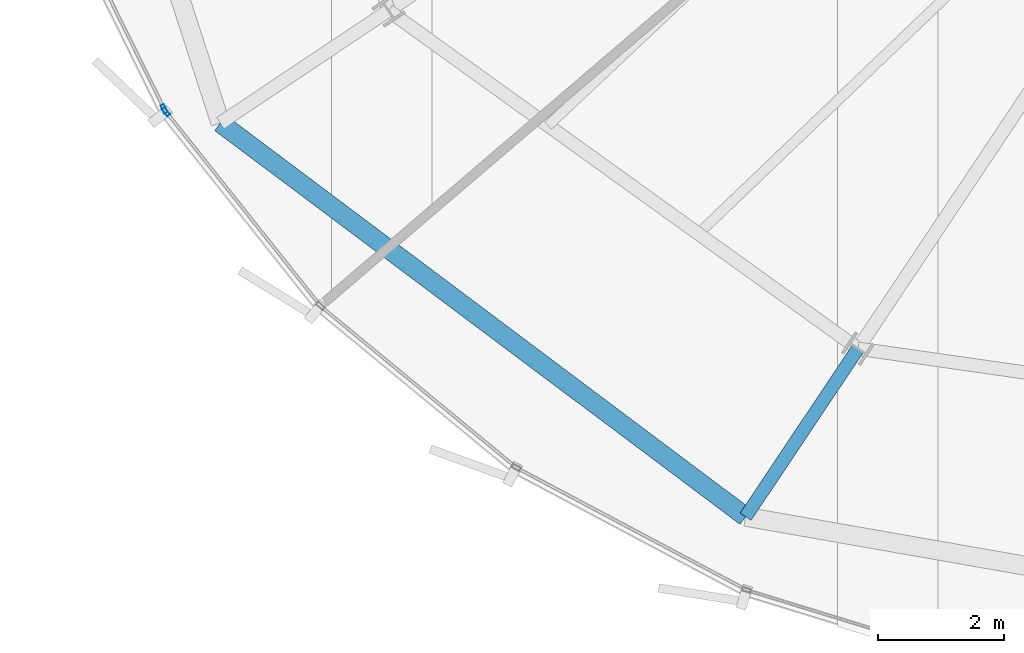
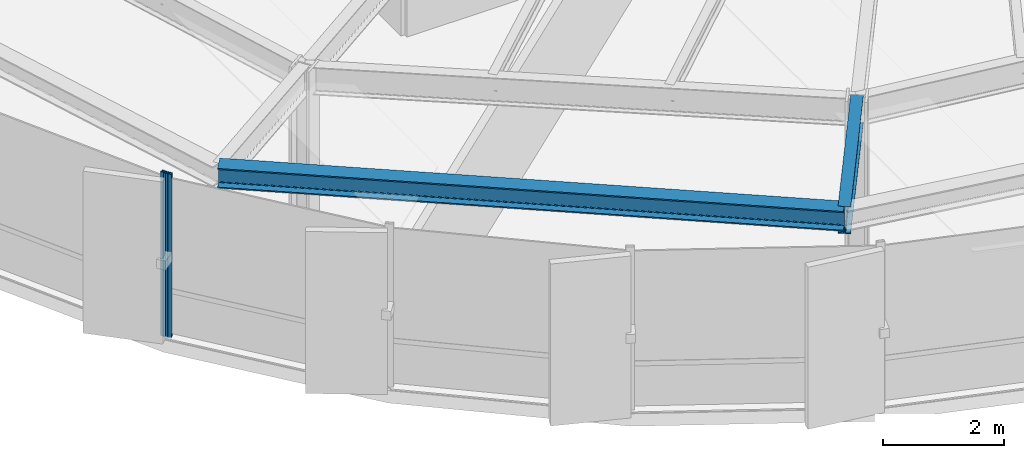
# One storey, part 3 of 36: 2 beams, 2 members, 2 elements without a shape of their own.
"""IFC4 building model written with IfcOpenShell, lengths in metres."""

from ifc_helpers import new_model, si_unit, direction, frame, origin, origin_2d, place, context, subcontext, project, spatial, hollow_rectangle, i_section, extrude, source, transform, mapped, material, layer, layer_set, material_profile, profile_set, type_object, element, aggregate, save


model = new_model("IFC4")

# Units and contexts
model_context = context("Model", 3, precision=1e-05, world=origin(), true_north=direction((0.0, 1.0)))
body_context = subcontext(model_context, "Body", "Model", "MODEL_VIEW")
ifc_project = project(units=[si_unit("LENGTHUNIT", "METRE"), si_unit("AREAUNIT", "SQUARE_METRE"), si_unit("VOLUMEUNIT", "CUBIC_METRE"), si_unit("PLANEANGLEUNIT", "RADIAN"), si_unit("MASSUNIT", "GRAM", prefix="KILO"), si_unit("THERMODYNAMICTEMPERATUREUNIT", "KELVIN")], contexts=[model_context])

# Site, building, storey
site_placement = place(None, origin())
site = spatial("IfcSite", under=ifc_project, at=site_placement, CompositionType="ELEMENT")
building_placement = place(site_placement, origin())
building = spatial("IfcBuilding", under=site, at=building_placement, Name="Kethvar Cultural Tower", CompositionType="ELEMENT")
storey_placement = place(building_placement, frame((0.0, 0.0, 164.300048828125)))
storey = spatial("IfcBuildingStorey", under=building, at=storey_placement, Name="L42", CompositionType="ELEMENT", Elevation=164.300048828125)

# Beams
ifc_material_1 = material(Name="Steel S355J2", Category="steel")
ifc_material_profile_1 = material_profile(ifc_material_1, i_section(OverallWidth=0.2099609375, OverallDepth=0.550048828125, WebThickness=0.010986328125, FlangeThickness=0.01708984375, FilletRadius=0.02392578125, at=origin_2d()), Name="Steel S355J2 — IPE550")
ifc_profile_set_1 = profile_set([ifc_material_profile_1], Name="Steel S355J2 — IPE550")
beam_type_1 = type_object("IfcBeamType", Name="BM-IPE550", PredefinedType="BEAM", material=ifc_profile_set_1)
shared_shape_1 = source(origin(), body_context, "Body", "SweptSolid", [
    extrude(i_section(OverallWidth=0.2099609375, OverallDepth=0.550048828125, WebThickness=0.010986328125, FlangeThickness=0.01708984375, FilletRadius=0.02392578125, at=origin_2d()), origin(), (0.0, 0.0, 1.0), 3.199951171875),
])
beam_1_placement = place(storey_placement, frame((34.350830078125, 9.16845703125, 3.02294921875), z_axis=(-0.555580212716, -0.831462943996, 0.0), x_axis=(0.831462943996, -0.555580212716, 0.0)))
element("IfcBeam", 1, at=beam_1_placement, inside=storey, type_object=beam_type_1, Name="L42 Perimeter Cantilever Beam RC-11", PredefinedType="BEAM", context=body_context, shape_type="MappedRepresentation", body=[
    mapped(shared_shape_1, transform((0.0, 0.0, 0.0), scale=1.0)),
])
ifc_material_profile_2 = material_profile(ifc_material_1, i_section(OverallWidth=0.300048828125, OverallDepth=0.39990234375, WebThickness=0.013427734375, FlangeThickness=0.02392578125, FilletRadius=0.027099609375, at=origin_2d()), Name="Steel S355J2 — HEB400")
ifc_profile_set_2 = profile_set([ifc_material_profile_2], Name="Steel S355J2 — HEB400")
beam_type_2 = type_object("IfcBeamType", Name="BM-SP400", PredefinedType="SPANDREL", material=ifc_profile_set_2)
shared_shape_2 = source(origin(), body_context, "Body", "SweptSolid", [
    extrude(i_section(OverallWidth=0.300048828125, OverallDepth=0.39990234375, WebThickness=0.013427734375, FlangeThickness=0.02392578125, FilletRadius=0.027099609375, at=origin_2d()), origin(), (0.0, 0.0, 1.0), 10.38916015625),
])
beam_2_placement = place(storey_placement, frame((24.260009765625, 12.7392578125, 3.097900390625), z_axis=(0.800152249906, -0.599796946449, 0.0), x_axis=(0.599796946449, 0.800152249906, 0.0)))
element("IfcBeam", 2, at=beam_2_placement, inside=storey, type_object=beam_type_2, Name="L42 Perimeter Spandrel Beam SP-10", PredefinedType="SPANDREL", context=body_context, shape_type="MappedRepresentation", body=[
    mapped(shared_shape_2, transform((0.0, 0.0, 0.0), scale=1.0)),
])

# Curtain wall, member
ifc_material_2 = material(Name="Aluminium 6063-T6", Category="aluminium")
ifc_layer = layer(ifc_material_2, 0.179931640625, Name="Aluminium 6063-T6", Category="aluminium")
ifc_layer_set = layer_set([ifc_layer], Name="Aluminium 6063-T6 (180 mm)")
curtain_wall_type = type_object("IfcCurtainWallType", Name="CW-SYS-04-Z34", PredefinedType="NOTDEFINED", material=ifc_layer_set)
curtain_wall_1_placement = place(storey_placement, origin())
curtain_wall_1 = element("IfcCurtainWall", 3, at=curtain_wall_1_placement, inside=storey, type_object=curtain_wall_type, Name="L42 Curtain Wall Run 03", PredefinedType="NOTDEFINED")
ifc_material_profile_3 = material_profile(ifc_material_2, hollow_rectangle(XDim=0.06005859375, YDim=0.139892578125, WallThickness=0.0048828125, at=origin_2d()), Name="Aluminium 6063-T6 — RHS140x60x5")
ifc_profile_set_3 = profile_set([ifc_material_profile_3], Name="Aluminium 6063-T6 — RHS140x60x5")
member_type = type_object("IfcMemberType", Name="CW-SYS-04-Z34-MUL", PredefinedType="MULLION", material=ifc_profile_set_3)
shared_shape_3 = source(origin(), body_context, "Body", "SweptSolid", [
    extrude(hollow_rectangle(XDim=0.06005859375, YDim=0.139892578125, WallThickness=0.0048828125, at=origin_2d()), origin(), (0.0, 0.0, 1.0), 3.300048828125),
])
member_1_placement = place(storey_placement, frame((23.37109375, 12.963623046875, 0.0), z_axis=(0.0, 0.0, 1.0), x_axis=(0.896416821864, 0.443212005117, 0.0)))
member_1 = element("IfcMember", 4, at=member_1_placement, type_object=member_type, Name="CW-L42-R03 Mullion 7", PredefinedType="MULLION", context=body_context, shape_type="MappedRepresentation", body=[
    mapped(shared_shape_3, transform((0.0, 0.0, 0.0), scale=1.0)),
])
aggregate(curtain_wall_1, [member_1])

curtain_wall_2_placement = place(storey_placement, origin())
curtain_wall_2 = element("IfcCurtainWall", 5, at=curtain_wall_2_placement, inside=storey, type_object=curtain_wall_type, Name="L42 Curtain Wall Run 04", PredefinedType="NOTDEFINED")
member_2_placement = place(storey_placement, frame((23.400146484375, 12.917724609375, 0.0), z_axis=(0.0, 0.0, 1.0), x_axis=(0.782705931567, 0.622391697156, 0.0)))
member_2 = element("IfcMember", 6, at=member_2_placement, type_object=member_type, Name="CW-L42-R04 Mullion 1", PredefinedType="MULLION", context=body_context, shape_type="MappedRepresentation", body=[
    mapped(shared_shape_3, transform((0.0, 0.0, 0.0), scale=1.0)),
])
aggregate(curtain_wall_2, [member_2])

save(model, "model.ifc")
